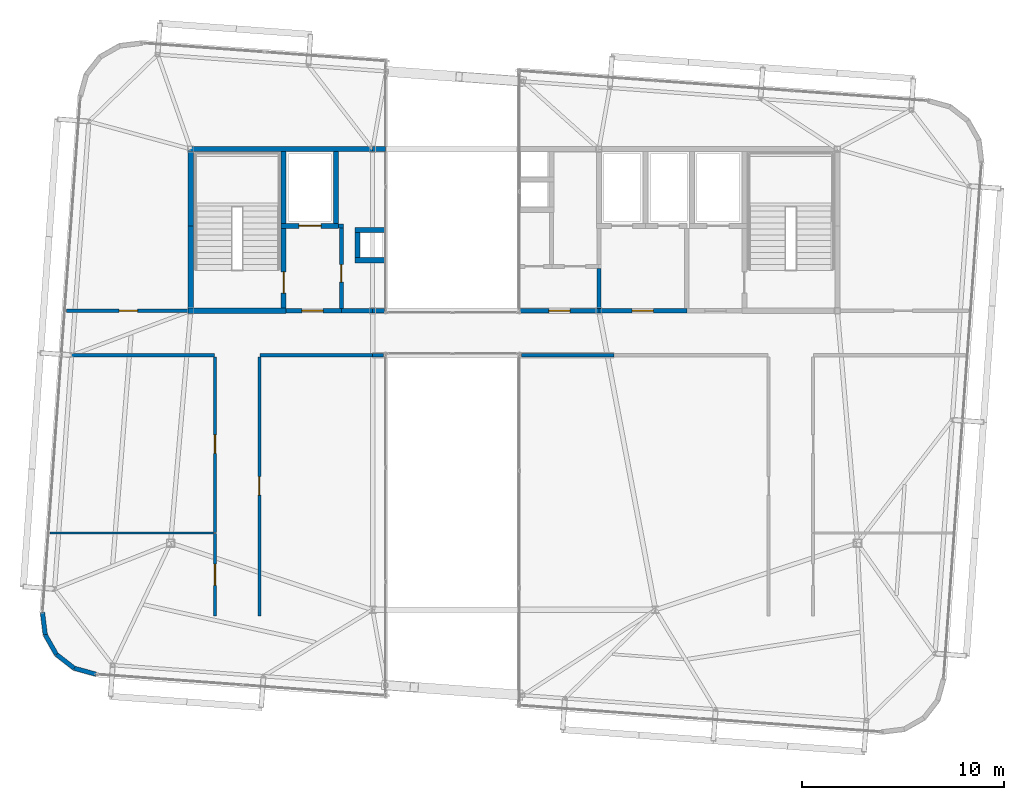
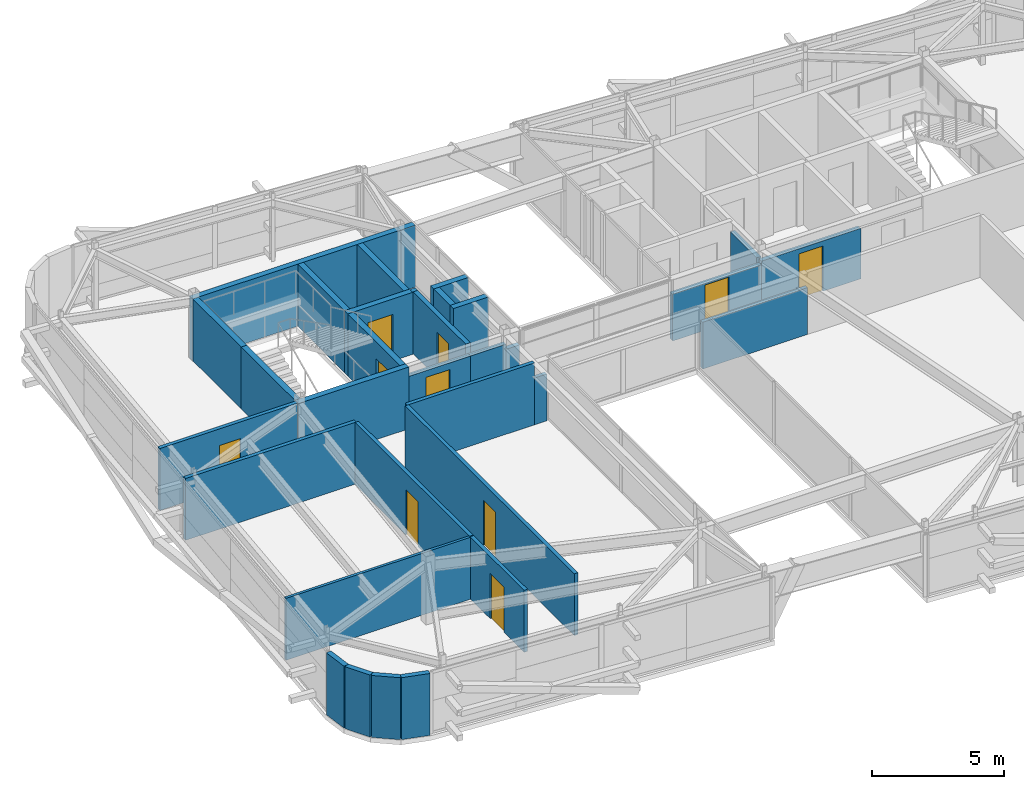
# One storey, part 36 of 40: 33 walls, 10 doors, 10 openings.
"""IFC4 building model written with IfcOpenShell, lengths in metres."""

from ifc_helpers import new_model, si_unit, direction, frame, frame_2d, origin, place, context, subcontext, project, spatial, rectangle, extrude, source, transform, mapped, material, layer, layer_set, type_object, element, fill, save


model = new_model("IFC4")

# Units and contexts
model_context = context("Model", 3, precision=1e-05, world=origin(), true_north=direction((0.0, 1.0)))
body_context = subcontext(model_context, "Body", "Model", "MODEL_VIEW")
ifc_project = project(units=[si_unit("LENGTHUNIT", "METRE"), si_unit("AREAUNIT", "SQUARE_METRE"), si_unit("VOLUMEUNIT", "CUBIC_METRE"), si_unit("PLANEANGLEUNIT", "RADIAN"), si_unit("MASSUNIT", "GRAM", prefix="KILO")], contexts=[model_context])

# Site, building, storey
site_placement = place(None, origin())
site = spatial("IfcSite", under=ifc_project, at=site_placement, CompositionType="ELEMENT")
building_placement = place(site_placement, origin())
building = spatial("IfcBuilding", under=site, at=building_placement, Name="Taldren Reach Tower", CompositionType="ELEMENT")
storey_placement = place(building_placement, frame((0.0, 0.0, 233.449951171875)))
storey = spatial("IfcBuildingStorey", under=building, at=storey_placement, Name="L71", CompositionType="ELEMENT", Elevation=233.449951171875)

# Walls
ifc_material_1 = material(Name="Pale Champagne Anodised Aluminium Cladding", Category="aluminium")
ifc_layer_1 = layer(ifc_material_1, 0.04, Name="Pale Champagne Anodised Aluminium Cladding", Category="aluminium")
ifc_material_2 = material(Name="Mineral Wool Acoustic Insulation", Category="insulation")
ifc_layer_2 = layer(ifc_material_2, 0.06, Name="Mineral Wool Acoustic Insulation", Category="insulation")
ifc_material_3 = material(Name="Steel Gr 350 (C350L0)", Category="steel")
ifc_layer_3 = layer(ifc_material_3, 0.12, Name="Steel Gr 350 (C350L0)", Category="steel")
ifc_layer_set_1 = layer_set([ifc_layer_1, ifc_layer_2, ifc_layer_3], Name="Pale Champagne Aluminium Cladding and Steel Gr 350 Stud Framing")
wall_type_1 = type_object("IfcWallType", Name="EW-CRN-220", PredefinedType="SOLIDWALL", material=ifc_layer_set_1)
shared_shape_1 = source(origin(), body_context, "Body", "SweptSolid", [
    extrude(rectangle(XDim=1.115966796875, YDim=0.219970703125, at=frame_2d((0.55810546875, 0.0))), origin(), (0.0, 0.0, 1.0), 2.8701171875),
])
for number, where, z_axis, x_axis, name in (
    (1, (11.66259765625, 9.072021484375, 0.0), (0.0, 0.0, 1.0), (0.122742076028, -0.992438604032, 0.0), "Rounded-corner pale-metal facade wall L71-SW1"),
    (2, (11.799560546875, 7.964599609375, 0.0), (0.0, 0.0, 1.0), (0.493073284892, -0.869987779067, 0.0), "Rounded-corner pale-metal facade wall L71-SW2"),
    (3, (12.349853515625, 6.99365234375, 0.0), (0.0, 0.0, 1.0), (0.788597772321, -0.614909386406, 0.0), "Rounded-corner pale-metal facade wall L71-SW3"),
):
    element("IfcWall", number, at=place(storey_placement, frame(where, z_axis=z_axis, x_axis=x_axis)), inside=storey, type_object=wall_type_1, Name=name, PredefinedType="SOLIDWALL", context=body_context, shape_type="MappedRepresentation", body=[
        mapped(shared_shape_1, transform((0.0, 0.0, 0.0), scale=1.0)),
    ])
shared_shape_2 = source(origin(), body_context, "Body", "SweptSolid", [
    extrude(rectangle(XDim=1.11572265625, YDim=0.219970703125, at=frame_2d((0.557861328125, 0.0))), origin(), (0.0, 0.0, 1.0), 2.8701171875),
])
wall_1_placement = place(storey_placement, frame((13.22998046875, 6.307373046875, 0.0), z_axis=(0.0, 0.0, 1.0), x_axis=(0.963890028874, -0.266300605026, 0.0)))
element("IfcWall", 4, at=wall_1_placement, inside=storey, type_object=wall_type_1, Name="Rounded-corner pale-metal facade wall L71-SW4", PredefinedType="SOLIDWALL", context=body_context, shape_type="MappedRepresentation", body=[
    mapped(shared_shape_2, transform((0.0, 0.0, 0.0), scale=1.0)),
])

# Wall, opening, door
ifc_material_4 = material(Name="Concrete S50 (50 MPa)", Category="concrete")
ifc_layer_4 = layer(ifc_material_4, 0.199951171875)
ifc_layer_set_2 = layer_set([ifc_layer_4], Name="Concrete S50 (50 MPa)")
wall_type_2 = type_object("IfcWallType", Name="IW-CORE-200", PredefinedType="SOLIDWALL", material=ifc_layer_set_2)
shared_shape_3 = source(origin(), body_context, "Body", "SweptSolid", [
    extrude(rectangle(XDim=4.35009765625, YDim=0.199951171875, at=frame_2d((2.175048828125, 0.0))), origin(), (0.0, 0.0, 1.0), 2.337158203125),
])
wall_2_placement = place(storey_placement, frame((43.550048828125, 24.0, 0.0), z_axis=(0.0, 0.0, 1.0), x_axis=(-1.0, 0.0, 0.0)))
wall_2 = element("IfcWall", 5, at=wall_2_placement, inside=storey, type_object=wall_type_2, Name="Rear Core Shear Wall W-INT-L71-028", PredefinedType="SOLIDWALL", context=body_context, shape_type="MappedRepresentation", body=[
    mapped(shared_shape_3, transform((0.0, 0.0, 0.0), scale=1.0)),
])
shared_shape_4 = source(origin(), body_context, "Body", "SweptSolid", [
    extrude(rectangle(XDim=1.050048828125, YDim=2.10009765625, at=frame_2d((0.52490234375, 1.050048828125))), frame((0.0, 0.10986328125, 0.0), z_axis=(0.0, -1.0, 0.0), x_axis=(1.0, 0.0, 0.0)), (0.0, 0.0, 1.0), 0.219970703125),
])
opening_1_placement = place(wall_2_placement, frame((1.64990234375, 0.0, 0.0)))
opening_1 = element("IfcOpeningElement", 6, at=opening_1_placement, cuts=wall_2, Name="Opening DF-105", PredefinedType="OPENING", context=body_context, shape_type="MappedRepresentation", body=[
    mapped(shared_shape_4, transform((0.0, 0.0, 0.0), scale=1.0)),
])
ifc_material_5 = material(Name="Fire-Rated Care and Stair Exit Door")
door_type_1 = type_object("IfcDoorType", Name="ID-FIRE-105", OperationType="NOTDEFINED", PredefinedType="DOOR", material=ifc_material_5)
shared_shape_5 = source(origin(), body_context, "Body", "SweptSolid", [
    extrude(rectangle(XDim=1.050048828125, YDim=2.10009765625, at=frame_2d((0.52490234375, 1.050048828125))), frame((0.0, 0.02490234375, 0.0), z_axis=(0.0, -1.0, 0.0), x_axis=(1.0, 0.0, 0.0)), (0.0, 0.0, 1.0), 0.050048828125),
])
door_1_placement = place(opening_1_placement, frame((1.050048828125, 0.0, 0.0), z_axis=(0.0, 0.0, 1.0), x_axis=(-1.0, 0.0, 0.0)))
door_1 = element("IfcDoor", 7, at=door_1_placement, inside=storey, type_object=door_type_1, Name="Interior Door DR-L71-005", OperationType="SINGLE_SWING_LEFT", OverallHeight=2.10009765625, OverallWidth=1.050048828125, PredefinedType="DOOR", context=body_context, shape_type="MappedRepresentation", body=[
    mapped(shared_shape_5, transform((0.0, 0.0, 0.0), scale=1.0)),
])
fill(opening_1, door_1)

# Walls
shared_shape_6 = source(origin(), body_context, "Body", "SweptSolid", [
    extrude(rectangle(XDim=2.0, YDim=0.199951171875, at=frame_2d((1.0, 0.0))), origin(), (0.0, 0.0, 1.0), 2.41015625),
])
wall_3_placement = place(storey_placement, frame((39.199951171875, 24.10009765625, 0.0), z_axis=(0.0, 0.0, 1.0), x_axis=(0.0, 1.0, 0.0)))
element("IfcWall", 8, at=wall_3_placement, inside=storey, type_object=wall_type_2, Name="Rear Core Shear Wall W-INT-L71-026", PredefinedType="SOLIDWALL", context=body_context, shape_type="MappedRepresentation", body=[
    mapped(shared_shape_6, transform((0.0, 0.0, 0.0), scale=1.0)),
])
ifc_material_6 = material(Name="Concrete S65 (65 MPa)", Category="concrete")
ifc_layer_5 = layer(ifc_material_6, 0.25)
ifc_layer_set_3 = layer_set([ifc_layer_5], Name="Concrete S65 (65 MPa)")
wall_type_3 = type_object("IfcWallType", Name="IW-CORE-250", PredefinedType="SHEAR", material=ifc_layer_set_3)
shared_shape_7 = source(origin(), body_context, "Body", "SweptSolid", [
    extrude(rectangle(XDim=9.125, YDim=0.25, at=frame_2d((4.5625, 0.0))), origin(), (0.0, 0.0, 1.0), 2.8701171875),
])
wall_4_placement = place(storey_placement, frame((18.875, 32.0, 0.0), z_axis=(0.0, 0.0, 1.0), x_axis=(1.0, 0.0, 0.0)))
element("IfcWall", 9, at=wall_4_placement, inside=storey, type_object=wall_type_3, Name="Rear Core Shear Wall W-CORE-L71-NORTH1", PredefinedType="SHEAR", context=body_context, shape_type="MappedRepresentation", body=[
    mapped(shared_shape_7, transform((0.0, 0.0, 0.0), scale=1.0)),
])
shared_shape_8 = source(origin(), body_context, "Body", "SweptSolid", [
    extrude(rectangle(XDim=0.639892578125, YDim=0.25, at=frame_2d((0.31982421875, 0.0))), origin(), (0.0, 0.0, 1.0), 2.8701171875),
])
wall_5_placement = place(storey_placement, frame((28.0, 32.0, 0.0), z_axis=(0.0, 0.0, 1.0), x_axis=(1.0, 0.0, 0.0)))
element("IfcWall", 10, at=wall_5_placement, inside=storey, type_object=wall_type_3, Name="Rear Core Shear Wall W-CORE-L71-NORTH2", PredefinedType="SHEAR", context=body_context, shape_type="MappedRepresentation", body=[
    mapped(shared_shape_8, transform((0.0, 0.0, 0.0), scale=1.0)),
])
shared_shape_9 = source(origin(), body_context, "Body", "SweptSolid", [
    extrude(rectangle(XDim=4.074951171875, YDim=0.25, at=frame_2d((2.03759765625, 0.0))), origin(), (0.0, 0.0, 1.0), 2.8701171875),
])
wall_6_placement = place(storey_placement, frame((19.0, 24.125, 0.0), z_axis=(0.0, 0.0, 1.0), x_axis=(0.0, 1.0, 0.0)))
element("IfcWall", 11, at=wall_6_placement, inside=storey, type_object=wall_type_3, Name="Rear Core Shear Wall W-CORE-L71-WEST1", PredefinedType="SHEAR", context=body_context, shape_type="MappedRepresentation", body=[
    mapped(shared_shape_9, transform((0.0, 0.0, 0.0), scale=1.0)),
])
shared_shape_10 = source(origin(), body_context, "Body", "SweptSolid", [
    extrude(rectangle(XDim=3.675048828125, YDim=0.25, at=frame_2d((1.83740234375, 0.0))), origin(), (0.0, 0.0, 1.0), 2.8701171875),
])
wall_7_placement = place(storey_placement, frame((19.0, 28.199951171875, 0.0), z_axis=(0.0, 0.0, 1.0), x_axis=(0.0, 1.0, 0.0)))
element("IfcWall", 12, at=wall_7_placement, inside=storey, type_object=wall_type_3, Name="Rear Core Shear Wall W-CORE-L71-WEST2", PredefinedType="SHEAR", context=body_context, shape_type="MappedRepresentation", body=[
    mapped(shared_shape_10, transform((0.0, 0.0, 0.0), scale=1.0)),
])
shared_shape_11 = source(origin(), body_context, "Body", "SweptSolid", [
    extrude(rectangle(XDim=3.550048828125, YDim=0.25, at=frame_2d((1.77490234375, 0.0))), origin(), (0.0, 0.0, 1.0), 2.8701171875),
])
for number, where, z_axis, x_axis, name in (
    (13, (23.60009765625, 28.324951171875, 0.0), (0.0, 0.0, 1.0), (0.0, 1.0, 0.0), "Rear Core Shear Wall W-INT-L71-001"),
    (14, (26.199951171875, 28.324951171875, 0.0), (0.0, 0.0, 1.0), (0.0, 1.0, 0.0), "Rear Core Shear Wall W-INT-L71-005"),
):
    element("IfcWall", number, at=place(storey_placement, frame(where, z_axis=z_axis, x_axis=x_axis)), inside=storey, type_object=wall_type_3, Name=name, PredefinedType="SHEAR", context=body_context, shape_type="MappedRepresentation", body=[
        mapped(shared_shape_11, transform((0.0, 0.0, 0.0), scale=1.0)),
    ])

# Wall, opening, door
shared_shape_12 = source(origin(), body_context, "Body", "SweptSolid", [
    extrude(rectangle(XDim=3.949951171875, YDim=0.25, at=frame_2d((1.97509765625, 0.0))), origin(), (0.0, 0.0, 1.0), 2.8701171875),
])
wall_8_placement = place(storey_placement, frame((23.60009765625, 24.125, 0.0), z_axis=(0.0, 0.0, 1.0), x_axis=(0.0, 1.0, 0.0)))
wall_8 = element("IfcWall", 15, at=wall_8_placement, inside=storey, type_object=wall_type_3, Name="Rear Core Shear Wall W-INT-L71-002", PredefinedType="SHEAR", context=body_context, shape_type="MappedRepresentation", body=[
    mapped(shared_shape_12, transform((0.0, 0.0, 0.0), scale=1.0)),
])
shared_shape_13 = source(origin(), body_context, "Body", "SweptSolid", [
    extrude(rectangle(XDim=1.050048828125, YDim=2.10009765625, at=frame_2d((0.52490234375, 1.050048828125))), frame((0.0, 0.135009765625, 0.0), z_axis=(0.0, -1.0, 0.0), x_axis=(1.0, 0.0, 0.0)), (0.0, 0.0, 1.0), 0.27001953125),
])
opening_2_placement = place(wall_8_placement, frame((0.75, 0.0, 0.0)))
opening_2 = element("IfcOpeningElement", 16, at=opening_2_placement, cuts=wall_8, Name="Opening DF-105", PredefinedType="OPENING", context=body_context, shape_type="MappedRepresentation", body=[
    mapped(shared_shape_13, transform((0.0, 0.0, 0.0), scale=1.0)),
])
door_2_placement = place(opening_2_placement, origin())
door_2 = element("IfcDoor", 17, at=door_2_placement, inside=storey, type_object=door_type_1, Name="Fire Exit Stair Door DR-L71-001", OperationType="SINGLE_SWING_LEFT", OverallHeight=2.10009765625, OverallWidth=1.050048828125, PredefinedType="DOOR", context=body_context, shape_type="MappedRepresentation", body=[
    mapped(shared_shape_5, transform((0.0, 0.0, 0.0), scale=1.0)),
])
fill(opening_2, door_2)

# Wall
shared_shape_14 = source(origin(), body_context, "Body", "SweptSolid", [
    extrude(rectangle(XDim=4.85009765625, YDim=0.25, at=frame_2d((2.425048828125, 0.0))), origin(), (0.0, 0.0, 1.0), 2.8701171875),
])
wall_9_placement = place(storey_placement, frame((18.875, 24.0, 0.0), z_axis=(0.0, 0.0, 1.0), x_axis=(1.0, 0.0, 0.0)))
element("IfcWall", 18, at=wall_9_placement, inside=storey, type_object=wall_type_3, Name="Rear Core Shear Wall W-INT-L71-003", PredefinedType="SHEAR", context=body_context, shape_type="MappedRepresentation", body=[
    mapped(shared_shape_14, transform((0.0, 0.0, 0.0), scale=1.0)),
])

# Wall, opening, door
shared_shape_15 = source(origin(), body_context, "Body", "SweptSolid", [
    extrude(rectangle(XDim=2.849853515625, YDim=0.25, at=frame_2d((1.4248046875, 0.0))), origin(), (0.0, 0.0, 1.0), 2.8701171875),
])
wall_10_placement = place(storey_placement, frame((23.47509765625, 28.199951171875, 0.0), z_axis=(0.0, 0.0, 1.0), x_axis=(1.0, 0.0, 0.0)))
wall_10 = element("IfcWall", 19, at=wall_10_placement, inside=storey, type_object=wall_type_3, Name="Rear Core Shear Wall W-INT-L71-004", PredefinedType="SHEAR", context=body_context, shape_type="MappedRepresentation", body=[
    mapped(shared_shape_15, transform((0.0, 0.0, 0.0), scale=1.0)),
])
shared_shape_16 = source(origin(), body_context, "Body", "SweptSolid", [
    extrude(rectangle(XDim=1.10009765625, YDim=2.14990234375, at=frame_2d((0.550048828125, 1.074951171875))), frame((0.0, 0.135009765625, 0.0), z_axis=(0.0, -1.0, 0.0), x_axis=(1.0, 0.0, 0.0)), (0.0, 0.0, 1.0), 0.27001953125),
])
opening_3_placement = place(wall_10_placement, frame((0.875, 0.0, 0.0)))
opening_3 = element("IfcOpeningElement", 20, at=opening_3_placement, cuts=wall_10, Name="Opening LD-FL1", PredefinedType="OPENING", context=body_context, shape_type="MappedRepresentation", body=[
    mapped(shared_shape_16, transform((0.0, 0.0, 0.0), scale=1.0)),
])
ifc_material_7 = material(Name="Stainless Steel Gr 316 Emergency Lift Landing Door", Category="steel")
door_type_2 = type_object("IfcDoorType", Name="LD-EMG-110", OperationType="SLIDING_TO_LEFT", PredefinedType="DOOR", material=ifc_material_7)
shared_shape_17 = source(origin(), body_context, "Body", "SweptSolid", [
    extrude(rectangle(XDim=1.10009765625, YDim=2.14990234375, at=frame_2d((0.550048828125, 1.074951171875))), frame((0.0, 0.02490234375, 0.0), z_axis=(0.0, -1.0, 0.0), x_axis=(1.0, 0.0, 0.0)), (0.0, 0.0, 1.0), 0.050048828125),
])
door_3_placement = place(opening_3_placement, origin())
door_3 = element("IfcDoor", 21, at=door_3_placement, inside=storey, type_object=door_type_2, Name="Lift Landing Door LD-FL1-L71", OperationType="SLIDING_TO_LEFT", OverallHeight=2.14990234375, OverallWidth=1.10009765625, PredefinedType="DOOR", context=body_context, shape_type="MappedRepresentation", body=[
    mapped(shared_shape_17, transform((0.0, 0.0, 0.0), scale=1.0)),
])
fill(opening_3, door_3)

shared_shape_18 = source(origin(), body_context, "Body", "SweptSolid", [
    extrude(rectangle(XDim=4.0, YDim=0.199951171875, at=frame_2d((2.0, 0.0))), origin(), (0.0, 0.0, 1.0), 2.8701171875),
])
wall_11_placement = place(storey_placement, frame((26.449951171875, 24.10009765625, 0.0), z_axis=(0.0, 0.0, 1.0), x_axis=(0.0, 1.0, 0.0)))
wall_11 = element("IfcWall", 22, at=wall_11_placement, inside=storey, type_object=wall_type_2, Name="Rear Core Shear Wall W-INT-L71-006", PredefinedType="SOLIDWALL", context=body_context, shape_type="MappedRepresentation", body=[
    mapped(shared_shape_18, transform((0.0, 0.0, 0.0), scale=1.0)),
])
shared_shape_19 = source(origin(), body_context, "Body", "SweptSolid", [
    extrude(rectangle(XDim=0.860107421875, YDim=2.10009765625, at=frame_2d((0.43017578125, 1.050048828125))), frame((0.0, 0.10986328125, 0.0), z_axis=(0.0, -1.0, 0.0), x_axis=(1.0, 0.0, 0.0)), (0.0, 0.0, 1.0), 0.219970703125),
])
opening_4_placement = place(wall_11_placement, frame((1.320068359375, 0.0, 0.0)))
opening_4 = element("IfcOpeningElement", 23, at=opening_4_placement, cuts=wall_11, Name="Opening DI-086", PredefinedType="OPENING", context=body_context, shape_type="MappedRepresentation", body=[
    mapped(shared_shape_19, transform((0.0, 0.0, 0.0), scale=1.0)),
])
ifc_material_8 = material(Name="Timber Bathroom Door", Category="wood")
door_type_3 = type_object("IfcDoorType", Name="ID-INT-086", OperationType="NOTDEFINED", PredefinedType="DOOR", material=ifc_material_8)
shared_shape_20 = source(origin(), body_context, "Body", "SweptSolid", [
    extrude(rectangle(XDim=0.860107421875, YDim=2.10009765625, at=frame_2d((0.43017578125, 1.050048828125))), frame((0.0, 0.02490234375, 0.0), z_axis=(0.0, -1.0, 0.0), x_axis=(1.0, 0.0, 0.0)), (0.0, 0.0, 1.0), 0.050048828125),
])
door_4_placement = place(opening_4_placement, frame((0.860107421875, 0.0, 0.0), z_axis=(0.0, 0.0, 1.0), x_axis=(-1.0, 0.0, 0.0)))
door_4 = element("IfcDoor", 24, at=door_4_placement, inside=storey, type_object=door_type_3, Name="Interior Door DR-L71-017", OperationType="SINGLE_SWING_RIGHT", OverallHeight=2.10009765625, OverallWidth=0.860107421875, PredefinedType="DOOR", context=body_context, shape_type="MappedRepresentation", body=[
    mapped(shared_shape_20, transform((0.0, 0.0, 0.0), scale=1.0)),
])
fill(opening_4, door_4)

shared_shape_21 = source(origin(), body_context, "Body", "SweptSolid", [
    extrude(rectangle(XDim=2.724853515625, YDim=0.199951171875, at=frame_2d((1.3623046875, 0.0))), origin(), (0.0, 0.0, 1.0), 2.41015625),
])
wall_12_placement = place(storey_placement, frame((23.72509765625, 24.0, 0.0), z_axis=(0.0, 0.0, 1.0), x_axis=(1.0, 0.0, 0.0)))
wall_12 = element("IfcWall", 25, at=wall_12_placement, inside=storey, type_object=wall_type_2, Name="Rear Core Shear Wall W-INT-L71-007", PredefinedType="SOLIDWALL", context=body_context, shape_type="MappedRepresentation", body=[
    mapped(shared_shape_21, transform((0.0, 0.0, 0.0), scale=1.0)),
])
opening_5_placement = place(wall_12_placement, frame((0.77490234375, 0.0, 0.0)))
opening_5 = element("IfcOpeningElement", 26, at=opening_5_placement, cuts=wall_12, Name="Opening DF-105", PredefinedType="OPENING", context=body_context, shape_type="MappedRepresentation", body=[
    mapped(shared_shape_4, transform((0.0, 0.0, 0.0), scale=1.0)),
])
door_5_placement = place(opening_5_placement, origin())
door_5 = element("IfcDoor", 27, at=door_5_placement, inside=storey, type_object=door_type_1, Name="Interior Door DR-L71-002", OperationType="SINGLE_SWING_LEFT", OverallHeight=2.10009765625, OverallWidth=1.050048828125, PredefinedType="DOOR", context=body_context, shape_type="MappedRepresentation", body=[
    mapped(shared_shape_5, transform((0.0, 0.0, 0.0), scale=1.0)),
])
fill(opening_5, door_5)

# Walls
shared_shape_22 = source(origin(), body_context, "Body", "SweptSolid", [
    extrude(rectangle(XDim=1.25, YDim=0.25, at=frame_2d((0.625, 0.0))), origin(), (0.0, 0.0, 1.0), 2.8701171875),
])
wall_13_placement = place(storey_placement, frame((27.25, 27.875, 0.0), z_axis=(0.0, 0.0, 1.0), x_axis=(0.0, -1.0, 0.0)))
element("IfcWall", 28, at=wall_13_placement, inside=storey, type_object=wall_type_3, Name="Rear Core Shear Wall W-INT-L71-019", PredefinedType="SHEAR", context=body_context, shape_type="MappedRepresentation", body=[
    mapped(shared_shape_22, transform((0.0, 0.0, 0.0), scale=1.0)),
])
shared_shape_23 = source(origin(), body_context, "Body", "SweptSolid", [
    extrude(rectangle(XDim=1.52490234375, YDim=0.25, at=frame_2d((0.762451171875, 0.0))), origin(), (0.0, 0.0, 1.0), 2.8701171875),
])
for number, where, z_axis, x_axis, name in (
    (29, (28.64990234375, 28.0, 0.0), (0.0, 0.0, 1.0), (-1.0, 0.0, 0.0), "Rear Core Shear Wall W-INT-L71-020"),
    (30, (27.125, 26.5, 0.0), (0.0, 0.0, 1.0), (1.0, 0.0, 0.0), "Rear Core Shear Wall W-INT-L71-021"),
):
    element("IfcWall", number, at=place(storey_placement, frame(where, z_axis=z_axis, x_axis=x_axis)), inside=storey, type_object=wall_type_3, Name=name, PredefinedType="SHEAR", context=body_context, shape_type="MappedRepresentation", body=[
        mapped(shared_shape_23, transform((0.0, 0.0, 0.0), scale=1.0)),
    ])
shared_shape_24 = source(origin(), body_context, "Body", "SweptSolid", [
    extrude(rectangle(XDim=0.594482421875, YDim=0.199951171875, at=frame_2d((0.29736328125, 0.0))), origin(), (0.0, 0.0, 1.0), 2.170166015625),
])
wall_14_placement = place(storey_placement, frame((28.594482421875, 24.0, 0.0), z_axis=(0.0, 0.0, 1.0), x_axis=(-1.0, 0.0, 0.0)))
element("IfcWall", 31, at=wall_14_placement, inside=storey, type_object=wall_type_2, Name="Rear Core Shear Wall W-INT-L71-029", PredefinedType="SOLIDWALL", context=body_context, shape_type="MappedRepresentation", body=[
    mapped(shared_shape_24, transform((0.0, 0.0, 0.0), scale=1.0)),
])
shared_shape_25 = source(origin(), body_context, "Body", "SweptSolid", [
    extrude(rectangle(XDim=1.550048828125, YDim=0.199951171875, at=frame_2d((0.77490234375, 0.0))), origin(), (0.0, 0.0, 1.0), 2.41015625),
])
wall_15_placement = place(storey_placement, frame((28.0, 24.0, 0.0), z_axis=(0.0, 0.0, 1.0), x_axis=(-1.0, 0.0, 0.0)))
element("IfcWall", 32, at=wall_15_placement, inside=storey, type_object=wall_type_2, Name="Rear Core Shear Wall W-INT-L71-029 part 2", PredefinedType="SOLIDWALL", context=body_context, shape_type="MappedRepresentation", body=[
    mapped(shared_shape_25, transform((0.0, 0.0, 0.0), scale=1.0)),
])

# Wall, opening, door
shared_shape_26 = source(origin(), body_context, "Body", "SweptSolid", [
    extrude(rectangle(XDim=3.89453125, YDim=0.199951171875, at=frame_2d((1.947265625, 0.0))), origin(), (0.0, 0.0, 1.0), 2.170166015625),
])
wall_16_placement = place(storey_placement, frame((39.199951171875, 24.0, 0.0), z_axis=(0.0, 0.0, 1.0), x_axis=(-1.0, 0.0, 0.0)))
wall_16 = element("IfcWall", 33, at=wall_16_placement, inside=storey, type_object=wall_type_2, Name="Rear Core Shear Wall W-INT-L71-032", PredefinedType="SOLIDWALL", context=body_context, shape_type="MappedRepresentation", body=[
    mapped(shared_shape_26, transform((0.0, 0.0, 0.0), scale=1.0)),
])
opening_6_placement = place(wall_16_placement, frame((1.42236328125, 0.0, 0.0)))
opening_6 = element("IfcOpeningElement", 34, at=opening_6_placement, cuts=wall_16, Name="Opening DF-105", PredefinedType="OPENING", context=body_context, shape_type="MappedRepresentation", body=[
    mapped(shared_shape_4, transform((0.0, 0.0, 0.0), scale=1.0)),
])
door_6_placement = place(opening_6_placement, frame((1.050048828125, 0.0, 0.0), z_axis=(0.0, 0.0, 1.0), x_axis=(-1.0, 0.0, 0.0)))
door_6 = element("IfcDoor", 35, at=door_6_placement, inside=storey, type_object=door_type_1, Name="Interior Door DR-L71-008", OperationType="SINGLE_SWING_RIGHT", OverallHeight=2.10009765625, OverallWidth=1.050048828125, PredefinedType="DOOR", context=body_context, shape_type="MappedRepresentation", body=[
    mapped(shared_shape_5, transform((0.0, 0.0, 0.0), scale=1.0)),
])
fill(opening_6, door_6)

ifc_material_9 = material(Name="Fire-Rated Acoustic Plasterboard Stud Wall", Category="gypsum")
ifc_layer_6 = layer(ifc_material_9, 0.159912109375)
ifc_layer_set_4 = layer_set([ifc_layer_6], Name="Fire-Rated Acoustic Plasterboard Stud Wall")
wall_type_4 = type_object("IfcWallType", Name="IW-FIRE-160", PredefinedType="PARTITIONING", material=ifc_layer_set_4)
shared_shape_27 = source(origin(), body_context, "Body", "SweptSolid", [
    extrude(rectangle(XDim=4.099853515625, YDim=0.159912109375, at=frame_2d((2.0498046875, 0.0))), origin(), (0.0, 0.0, 1.0), 2.8701171875),
])
wall_17_placement = place(storey_placement, frame((20.199951171875, 8.8798828125, 0.0), z_axis=(0.0, 0.0, 1.0), x_axis=(0.0, 1.0, 0.0)))
wall_17 = element("IfcWall", 36, at=wall_17_placement, inside=storey, type_object=wall_type_4, Name="Interior Partition Wall W-INT-L71-034", PredefinedType="PARTITIONING", context=body_context, shape_type="MappedRepresentation", body=[
    mapped(shared_shape_27, transform((0.0, 0.0, 0.0), scale=1.0)),
])
shared_shape_28 = source(origin(), body_context, "Body", "SweptSolid", [
    extrude(rectangle(XDim=1.050048828125, YDim=2.10009765625, at=frame_2d((0.52490234375, 1.050048828125))), frame((0.0, 0.08984375, 0.0), z_axis=(0.0, -1.0, 0.0), x_axis=(1.0, 0.0, 0.0)), (0.0, 0.0, 1.0), 0.179931640625),
])
opening_7_placement = place(wall_17_placement, frame((1.52490234375, 0.0, 0.0)))
opening_7 = element("IfcOpeningElement", 37, at=opening_7_placement, cuts=wall_17, Name="Opening DF-105", PredefinedType="OPENING", context=body_context, shape_type="MappedRepresentation", body=[
    mapped(shared_shape_28, transform((0.0, 0.0, 0.0), scale=1.0)),
])
door_7_placement = place(opening_7_placement, origin())
door_7 = element("IfcDoor", 38, at=door_7_placement, inside=storey, type_object=door_type_1, Name="Interior Door DR-L71-009", OperationType="SINGLE_SWING_RIGHT", OverallHeight=2.10009765625, OverallWidth=1.050048828125, PredefinedType="DOOR", context=body_context, shape_type="MappedRepresentation", body=[
    mapped(shared_shape_5, transform((0.0, 0.0, 0.0), scale=1.0)),
])
fill(opening_7, door_7)

shared_shape_29 = source(origin(), body_context, "Body", "SweptSolid", [
    extrude(rectangle(XDim=8.69970703125, YDim=0.159912109375, at=frame_2d((4.349853515625, 0.0))), origin(), (0.0, 0.0, 1.0), 2.8701171875),
])
wall_18_placement = place(storey_placement, frame((20.199951171875, 13.020263671875, 0.0), z_axis=(0.0, 0.0, 1.0), x_axis=(0.0, 1.0, 0.0)))
wall_18 = element("IfcWall", 39, at=wall_18_placement, inside=storey, type_object=wall_type_4, Name="Interior Partition Wall W-INT-L71-035", PredefinedType="PARTITIONING", context=body_context, shape_type="MappedRepresentation", body=[
    mapped(shared_shape_29, transform((0.0, 0.0, 0.0), scale=1.0)),
])
shared_shape_30 = source(origin(), body_context, "Body", "SweptSolid", [
    extrude(rectangle(XDim=0.919921875, YDim=2.10009765625, at=frame_2d((0.4599609375, 1.050048828125))), frame((0.0, 0.08984375, 0.0), z_axis=(0.0, -1.0, 0.0), x_axis=(1.0, 0.0, 0.0)), (0.0, 0.0, 1.0), 0.179931640625),
])
opening_8_placement = place(wall_18_placement, frame((3.919677734375, 0.0, 0.0)))
opening_8 = element("IfcOpeningElement", 40, at=opening_8_placement, cuts=wall_18, Name="Opening DI-092", PredefinedType="OPENING", context=body_context, shape_type="MappedRepresentation", body=[
    mapped(shared_shape_30, transform((0.0, 0.0, 0.0), scale=1.0)),
])
ifc_material_10 = material(Name="Solid-Core Timber Suite Door", Category="wood")
door_type_4 = type_object("IfcDoorType", Name="ID-INT-092", OperationType="NOTDEFINED", PredefinedType="DOOR", material=ifc_material_10)
shared_shape_31 = source(origin(), body_context, "Body", "SweptSolid", [
    extrude(rectangle(XDim=0.919921875, YDim=2.10009765625, at=frame_2d((0.4599609375, 1.050048828125))), frame((0.0, 0.02490234375, 0.0), z_axis=(0.0, -1.0, 0.0), x_axis=(1.0, 0.0, 0.0)), (0.0, 0.0, 1.0), 0.050048828125),
])
door_8_placement = place(opening_8_placement, origin())
door_8 = element("IfcDoor", 41, at=door_8_placement, inside=storey, type_object=door_type_4, Name="Interior Door DR-L71-010", OperationType="SINGLE_SWING_LEFT", OverallHeight=2.10009765625, OverallWidth=0.919921875, PredefinedType="DOOR", context=body_context, shape_type="MappedRepresentation", body=[
    mapped(shared_shape_31, transform((0.0, 0.0, 0.0), scale=1.0)),
])
fill(opening_8, door_8)

# Wall
shared_shape_32 = source(origin(), body_context, "Body", "SweptSolid", [
    extrude(rectangle(XDim=7.486328125, YDim=0.159912109375, at=frame_2d((3.7431640625, 0.0))), origin(), (0.0, 0.0, 1.0), 2.8701171875),
])
wall_19_placement = place(storey_placement, frame((20.1796875, 21.800048828125, 0.0), z_axis=(0.0, 0.0, 1.0), x_axis=(-1.0, 0.0, 0.0)))
element("IfcWall", 42, at=wall_19_placement, inside=storey, type_object=wall_type_4, Name="Interior Partition Wall W-INT-L71-036", PredefinedType="PARTITIONING", context=body_context, shape_type="MappedRepresentation", body=[
    mapped(shared_shape_32, transform((0.0, 0.0, 0.0), scale=1.0)),
])

# Wall, opening, door
shared_shape_33 = source(origin(), body_context, "Body", "SweptSolid", [
    extrude(rectangle(XDim=12.840087890625, YDim=0.159912109375, at=frame_2d((6.419921875, 0.0))), origin(), (0.0, 0.0, 1.0), 2.8701171875),
])
wall_20_placement = place(storey_placement, frame((22.39990234375, 21.719970703125, 0.0), z_axis=(0.0, 0.0, 1.0), x_axis=(0.0, -1.0, 0.0)))
wall_20 = element("IfcWall", 43, at=wall_20_placement, inside=storey, type_object=wall_type_4, Name="Interior Partition Wall W-INT-L71-037", PredefinedType="PARTITIONING", context=body_context, shape_type="MappedRepresentation", body=[
    mapped(shared_shape_33, transform((0.0, 0.0, 0.0), scale=1.0)),
])
opening_9_placement = place(wall_20_placement, frame((5.93017578125, 0.0, 0.0)))
opening_9 = element("IfcOpeningElement", 44, at=opening_9_placement, cuts=wall_20, Name="Opening DI-092", PredefinedType="OPENING", context=body_context, shape_type="MappedRepresentation", body=[
    mapped(shared_shape_30, transform((0.0, 0.0, 0.0), scale=1.0)),
])
door_9_placement = place(opening_9_placement, origin())
door_9 = element("IfcDoor", 45, at=door_9_placement, inside=storey, type_object=door_type_4, Name="Interior Door DR-L71-011", OperationType="SINGLE_SWING_RIGHT", OverallHeight=2.10009765625, OverallWidth=0.919921875, PredefinedType="DOOR", context=body_context, shape_type="MappedRepresentation", body=[
    mapped(shared_shape_31, transform((0.0, 0.0, 0.0), scale=1.0)),
])
fill(opening_9, door_9)

# Walls
shared_shape_34 = source(origin(), body_context, "Body", "SweptSolid", [
    extrude(rectangle(XDim=0.534423828125, YDim=0.159912109375, at=frame_2d((0.26708984375, 0.0))), origin(), (0.0, 0.0, 1.0), 2.170166015625),
])
wall_21_placement = place(storey_placement, frame((28.534423828125, 21.800048828125, 0.0), z_axis=(0.0, 0.0, 1.0), x_axis=(-1.0, 0.0, 0.0)))
element("IfcWall", 46, at=wall_21_placement, inside=storey, type_object=wall_type_4, Name="Interior Partition Wall W-INT-L71-038", PredefinedType="PARTITIONING", context=body_context, shape_type="MappedRepresentation", body=[
    mapped(shared_shape_34, transform((0.0, 0.0, 0.0), scale=1.0)),
])
shared_shape_35 = source(origin(), body_context, "Body", "SweptSolid", [
    extrude(rectangle(XDim=5.57958984375, YDim=0.159912109375, at=frame_2d((2.789794921875, 0.0))), origin(), (0.0, 0.0, 1.0), 2.8701171875),
])
wall_22_placement = place(storey_placement, frame((28.0, 21.800048828125, 0.0), z_axis=(0.0, 0.0, 1.0), x_axis=(-1.0, 0.0, 0.0)))
element("IfcWall", 47, at=wall_22_placement, inside=storey, type_object=wall_type_4, Name="Interior Partition Wall W-INT-L71-038 part 2", PredefinedType="PARTITIONING", context=body_context, shape_type="MappedRepresentation", body=[
    mapped(shared_shape_35, transform((0.0, 0.0, 0.0), scale=1.0)),
])

# Wall, opening, door
shared_shape_36 = source(origin(), body_context, "Body", "SweptSolid", [
    extrude(rectangle(XDim=6.03173828125, YDim=0.159912109375, at=frame_2d((3.015869140625, 0.0))), origin(), (0.0, 0.0, 1.0), 2.8701171875),
])
wall_23_placement = place(storey_placement, frame((12.84326171875, 24.0, 0.0), z_axis=(0.0, 0.0, 1.0), x_axis=(1.0, 0.0, 0.0)))
wall_23 = element("IfcWall", 48, at=wall_23_placement, inside=storey, type_object=wall_type_4, Name="Interior Partition Wall W-INT-L71-039", PredefinedType="PARTITIONING", context=body_context, shape_type="MappedRepresentation", body=[
    mapped(shared_shape_36, transform((0.0, 0.0, 0.0), scale=1.0)),
])
opening_10_placement = place(wall_23_placement, frame((2.6083984375, 0.0, 0.0)))
opening_10 = element("IfcOpeningElement", 49, at=opening_10_placement, cuts=wall_23, Name="Opening DI-092", PredefinedType="OPENING", context=body_context, shape_type="MappedRepresentation", body=[
    mapped(shared_shape_30, transform((0.0, 0.0, 0.0), scale=1.0)),
])
door_10_placement = place(opening_10_placement, origin())
door_10 = element("IfcDoor", 50, at=door_10_placement, inside=storey, type_object=door_type_4, Name="Interior Door DR-L71-012", OperationType="SINGLE_SWING_LEFT", OverallHeight=2.10009765625, OverallWidth=0.919921875, PredefinedType="DOOR", context=body_context, shape_type="MappedRepresentation", body=[
    mapped(shared_shape_31, transform((0.0, 0.0, 0.0), scale=1.0)),
])
fill(opening_10, door_10)

# Walls
shared_shape_37 = source(origin(), body_context, "Body", "SweptSolid", [
    extrude(rectangle(XDim=4.58447265625, YDim=0.159912109375, at=frame_2d((2.292236328125, 0.0))), origin(), (0.0, 0.0, 1.0), 2.170166015625),
])
wall_24_placement = place(storey_placement, frame((39.949951171875, 21.800048828125, 0.0), z_axis=(0.0, 0.0, 1.0), x_axis=(-1.0, 0.0, 0.0)))
element("IfcWall", 51, at=wall_24_placement, inside=storey, type_object=wall_type_4, Name="Interior Partition Wall W-INT-L71-041 part 2", PredefinedType="PARTITIONING", context=body_context, shape_type="MappedRepresentation", body=[
    mapped(shared_shape_37, transform((0.0, 0.0, 0.0), scale=1.0)),
])
ifc_material_11 = material(Name="Insulated Residential Stud Partition", Category="gypsum")
ifc_layer_7 = layer(ifc_material_11, 0.1201171875)
ifc_layer_set_5 = layer_set([ifc_layer_7], Name="Insulated Residential Stud Partition")
wall_type_5 = type_object("IfcWallType", Name="IW-PART-120", PredefinedType="PARTITIONING", material=ifc_layer_set_5)
shared_shape_38 = source(origin(), body_context, "Body", "SweptSolid", [
    extrude(rectangle(XDim=8.08056640625, YDim=0.1201171875, at=frame_2d((4.040283203125, 0.0))), origin(), (0.0, 0.0, 1.0), 2.8701171875),
])
wall_25_placement = place(storey_placement, frame((12.037353515625, 13.0, 0.0), z_axis=(0.0, 0.0, 1.0), x_axis=(1.0, 0.0, 0.0)))
element("IfcWall", 52, at=wall_25_placement, inside=storey, type_object=wall_type_5, Name="Interior Partition Wall W-INT-L71-046", PredefinedType="PARTITIONING", context=body_context, shape_type="MappedRepresentation", body=[
    mapped(shared_shape_38, transform((0.0, 0.0, 0.0), scale=1.0)),
])
shared_shape_39 = source(origin(), body_context, "Body", "SweptSolid", [
    extrude(rectangle(XDim=0.22509765625, YDim=0.199951171875, at=frame_2d((0.112548828125, 0.0))), origin(), (0.0, 0.0, 1.0), 2.8701171875),
])
wall_26_placement = place(storey_placement, frame((26.324951171875, 28.199951171875, 0.0), z_axis=(0.0, 0.0, 1.0), x_axis=(1.0, 0.0, 0.0)))
element("IfcWall", 53, at=wall_26_placement, inside=storey, type_object=wall_type_2, Name="Rear Core Partition Wall W-INT-L71-048", PredefinedType="SOLIDWALL", context=body_context, shape_type="MappedRepresentation", body=[
    mapped(shared_shape_39, transform((0.0, 0.0, 0.0), scale=1.0)),
])

save(model, "model.ifc")
